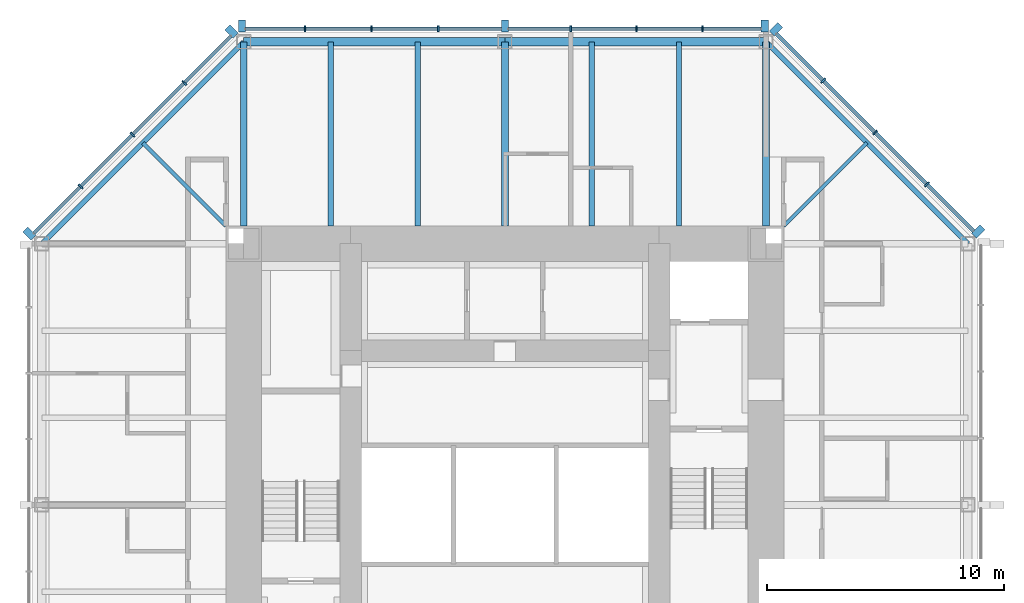
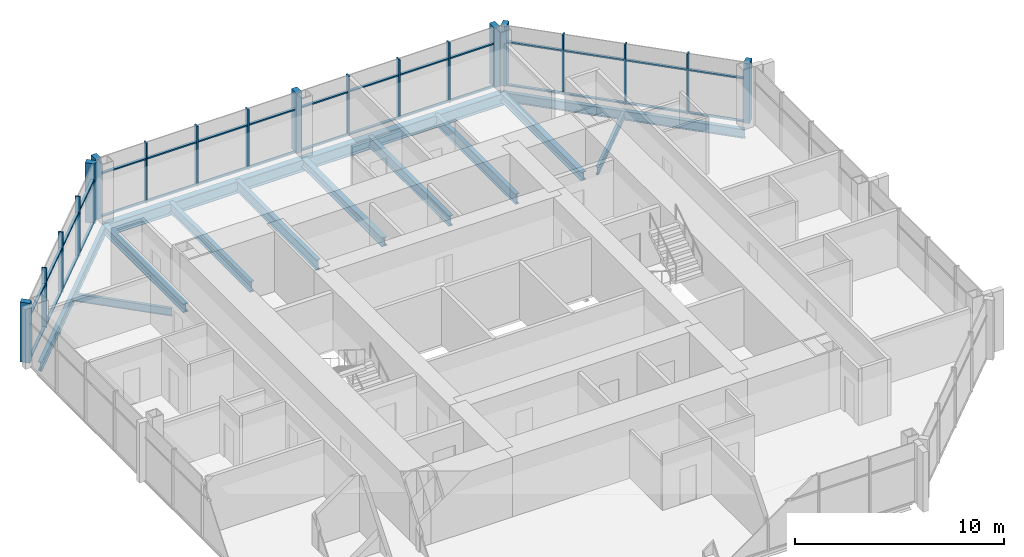
# One storey, part 5 of 11: 51 members, 13 beams, 3 elements without a shape of their own.
"""IFC4 building model written with IfcOpenShell, lengths in metres."""

from ifc_helpers import new_model, si_unit, direction, frame, origin, origin_2d, place, context, subcontext, project, spatial, rectangle, i_section, extrude, material, material_profile, profile_set, type_object, element, aggregate, save


model = new_model("IFC4")

# Units and contexts
model_context = context("Model", 3, precision=1e-05, world=origin(), true_north=direction((0.0, 1.0)))
body_context = subcontext(model_context, "Body", "Model", "MODEL_VIEW")
ifc_project = project(units=[si_unit("LENGTHUNIT", "METRE"), si_unit("AREAUNIT", "SQUARE_METRE"), si_unit("VOLUMEUNIT", "CUBIC_METRE"), si_unit("PLANEANGLEUNIT", "RADIAN"), si_unit("MASSUNIT", "GRAM", prefix="KILO")], contexts=[model_context])

# Site, building, storey
site_placement = place(None, origin())
site = spatial("IfcSite", under=ifc_project, at=site_placement, CompositionType="ELEMENT")
building_placement = place(site_placement, origin())
building = spatial("IfcBuilding", under=site, at=building_placement, Name="Trevanion Tower", CompositionType="ELEMENT")
storey_placement = place(building_placement, frame((0.0, 0.0, 250.199951171875)))
storey = spatial("IfcBuildingStorey", under=building, at=storey_placement, Name="L61", CompositionType="ELEMENT", Elevation=250.199951171875)

# Beams
ifc_material_1 = material(Name="Steel ASTM A992 Grade 50", Category="steel")
ifc_material_profile_1 = material_profile(ifc_material_1, i_section(OverallWidth=0.228271484375, OverallDepth=0.607177734375, WebThickness=0.01123046875, FlangeThickness=0.017333984375, at=origin_2d()), Name="W24X76")
ifc_profile_set_1 = profile_set([ifc_material_profile_1], Name="Steel ASTM A992 Grade 50")
beam_type_1 = type_object("IfcBeamType", Name="B11 W24X76", PredefinedType="BEAM", material=ifc_profile_set_1)
for number, where, z_axis, x_axis, name in (
    (1, (7.333251953125, 11.75, -0.493408203125), (0.0, 1.0, 0.0), (-1.0, 0.0, 0.0), "B11 L61"),
    (2, (3.666748046875, 11.75, -0.493408203125), (0.0, 1.0, 0.0), (-1.0, 0.0, 0.0), "B11 L61"),
    (3, (-3.666748046875, 11.75, -0.493408203125), (0.0, 1.0, 0.0), (-1.0, 0.0, 0.0), "B11 L61"),
    (4, (-7.333251953125, 11.75, -0.493408203125), (0.0, 1.0, 0.0), (-1.0, 0.0, 0.0), "B11 L61"),
):
    element("IfcBeam", number, at=place(storey_placement, frame(where, z_axis=z_axis, x_axis=x_axis)), inside=storey, type_object=beam_type_1, Name=name, PredefinedType="BEAM", context=body_context, shape_type="SweptSolid", body=[
        extrude(i_section(OverallWidth=0.228271484375, OverallDepth=0.607177734375, WebThickness=0.01123046875, FlangeThickness=0.017333984375, at=origin_2d()), origin(), (0.0, 0.0, 1.0), 7.75),
    ])
ifc_material_2 = material(Name="Steel ASTM A992 Grade 50", Category="steel")
ifc_material_profile_2 = material_profile(ifc_material_2, i_section(OverallWidth=0.15234375, OverallDepth=0.449462890625, WebThickness=0.007568359375, FlangeThickness=0.0107421875, at=origin_2d()), Name="W18X35")
ifc_profile_set_2 = profile_set([ifc_material_profile_2], Name="Steel ASTM A992 Grade 50")
beam_type_2 = type_object("IfcBeamType", Name="B12 W18X35", PredefinedType="BEAM", material=ifc_profile_set_2)
for number, where, z_axis, x_axis, name in (
    (5, (11.75, 11.75, -0.414794921875), (0.707106781187, 0.707106781187, 0.0), (-0.707106781187, 0.707106781187, 0.0), "B12 L61"),
    (6, (-11.75, 11.75, -0.414794921875), (-0.707106781187, 0.707106781187, 0.0), (-0.707106781187, -0.707106781187, 0.0), "B12 L61"),
):
    element("IfcBeam", number, at=place(storey_placement, frame(where, z_axis=z_axis, x_axis=x_axis)), inside=storey, type_object=beam_type_2, Name=name, PredefinedType="BEAM", context=body_context, shape_type="SweptSolid", body=[
        extrude(i_section(OverallWidth=0.15234375, OverallDepth=0.449462890625, WebThickness=0.007568359375, FlangeThickness=0.0107421875, at=origin_2d()), origin(), (0.0, 0.0, 1.0), 4.94970703125),
    ])

# Curtain wall, members
ifc_material_3 = material(Name="Aluminium and glass", Category="aluminium")
curtain_wall_type = type_object("IfcCurtainWallType", Name="CW3 curtain wall", PredefinedType="USERDEFINED", material=ifc_material_3)
curtain_wall_1_placement = place(storey_placement, origin())
curtain_wall_1 = element("IfcCurtainWall", 7, at=curtain_wall_1_placement, inside=storey, type_object=curtain_wall_type, Name="CW3 L61 1", ObjectType="UNITISED CURTAIN WALL", PredefinedType="USERDEFINED")
ifc_material_4 = material(Name="Aluminium extrusion, anodised bronze", Category="aluminium")
ifc_material_profile_3 = material_profile(ifc_material_4, rectangle(XDim=0.074951171875, YDim=0.25, at=origin_2d()), Name="CW3 mullion")
ifc_profile_set_3 = profile_set([ifc_material_profile_3], Name="Aluminium extrusion, anodised bronze")
member_type_1 = type_object("IfcMemberType", Name="CW3 mullion", PredefinedType="MULLION", material=ifc_profile_set_3)
member_1_placement = place(storey_placement, frame((17.775390625, 13.502197265625, -0.18994140625), z_axis=(0.0, 0.0, 1.0), x_axis=(-0.707106781187, 0.707106781187, 0.0)))
member_1 = element("IfcMember", 8, at=member_1_placement, type_object=member_type_1, Name="CW3 mullion 2", PredefinedType="MULLION", context=body_context, shape_type="SweptSolid", body=[
    extrude(rectangle(XDim=0.074951171875, YDim=0.25, at=origin_2d()), origin(), (0.0, 0.0, 1.0), 3.5),
])
member_2_placement = place(storey_placement, frame((15.593017578125, 15.684814453125, -0.18994140625), z_axis=(0.0, 0.0, 1.0), x_axis=(-0.707106781187, 0.707106781187, 0.0)))
member_2 = element("IfcMember", 9, at=member_2_placement, type_object=member_type_1, Name="CW3 mullion 3", PredefinedType="MULLION", context=body_context, shape_type="SweptSolid", body=[
    extrude(rectangle(XDim=0.074951171875, YDim=0.25, at=origin_2d()), origin(), (0.0, 0.0, 1.0), 3.5),
])
member_3_placement = place(storey_placement, frame((13.410400390625, 17.867431640625, -0.18994140625), z_axis=(0.0, 0.0, 1.0), x_axis=(-0.707106781187, 0.707106781187, 0.0)))
member_3 = element("IfcMember", 10, at=member_3_placement, type_object=member_type_1, Name="CW3 mullion 4", PredefinedType="MULLION", context=body_context, shape_type="SweptSolid", body=[
    extrude(rectangle(XDim=0.074951171875, YDim=0.25, at=origin_2d()), origin(), (0.0, 0.0, 1.0), 3.5),
])

curtain_wall_2_placement = place(storey_placement, origin())
curtain_wall_2 = element("IfcCurtainWall", 11, at=curtain_wall_2_placement, inside=storey, type_object=curtain_wall_type, Name="CW3 L61 2", ObjectType="UNITISED CURTAIN WALL", PredefinedType="USERDEFINED")
member_4_placement = place(storey_placement, frame((8.323486328125, 20.050048828125, -0.18994140625), z_axis=(0.0, 0.0, 1.0), x_axis=(-1.0, 0.0, 0.0)))
member_4 = element("IfcMember", 12, at=member_4_placement, type_object=member_type_1, Name="CW3 mullion 2", PredefinedType="MULLION", context=body_context, shape_type="SweptSolid", body=[
    extrude(rectangle(XDim=0.074951171875, YDim=0.25, at=origin_2d()), origin(), (0.0, 0.0, 1.0), 3.5),
])
member_5_placement = place(storey_placement, frame((5.548828125, 20.050048828125, -0.18994140625), z_axis=(0.0, 0.0, 1.0), x_axis=(-1.0, 0.0, 0.0)))
member_5 = element("IfcMember", 13, at=member_5_placement, type_object=member_type_1, Name="CW3 mullion 3", PredefinedType="MULLION", context=body_context, shape_type="SweptSolid", body=[
    extrude(rectangle(XDim=0.074951171875, YDim=0.25, at=origin_2d()), origin(), (0.0, 0.0, 1.0), 3.5),
])
member_6_placement = place(storey_placement, frame((2.7744140625, 20.050048828125, -0.18994140625), z_axis=(0.0, 0.0, 1.0), x_axis=(-1.0, 0.0, 0.0)))
member_6 = element("IfcMember", 14, at=member_6_placement, type_object=member_type_1, Name="CW3 mullion 4", PredefinedType="MULLION", context=body_context, shape_type="SweptSolid", body=[
    extrude(rectangle(XDim=0.074951171875, YDim=0.25, at=origin_2d()), origin(), (0.0, 0.0, 1.0), 3.5),
])
member_7_placement = place(storey_placement, frame((-2.806884765625, 20.050048828125, -0.18994140625), z_axis=(0.0, 0.0, 1.0), x_axis=(-1.0, 0.0, 0.0)))
member_7 = element("IfcMember", 15, at=member_7_placement, type_object=member_type_1, Name="CW3 mullion 6", PredefinedType="MULLION", context=body_context, shape_type="SweptSolid", body=[
    extrude(rectangle(XDim=0.074951171875, YDim=0.25, at=origin_2d()), origin(), (0.0, 0.0, 1.0), 3.5),
])
member_8_placement = place(storey_placement, frame((-5.614013671875, 20.050048828125, -0.18994140625), z_axis=(0.0, 0.0, 1.0), x_axis=(-1.0, 0.0, 0.0)))
member_8 = element("IfcMember", 16, at=member_8_placement, type_object=member_type_1, Name="CW3 mullion 7", PredefinedType="MULLION", context=body_context, shape_type="SweptSolid", body=[
    extrude(rectangle(XDim=0.074951171875, YDim=0.25, at=origin_2d()), origin(), (0.0, 0.0, 1.0), 3.5),
])
member_9_placement = place(storey_placement, frame((-8.4208984375, 20.050048828125, -0.18994140625), z_axis=(0.0, 0.0, 1.0), x_axis=(-1.0, 0.0, 0.0)))
member_9 = element("IfcMember", 17, at=member_9_placement, type_object=member_type_1, Name="CW3 mullion 8", PredefinedType="MULLION", context=body_context, shape_type="SweptSolid", body=[
    extrude(rectangle(XDim=0.074951171875, YDim=0.25, at=origin_2d()), origin(), (0.0, 0.0, 1.0), 3.5),
])

curtain_wall_3_placement = place(storey_placement, origin())
curtain_wall_3 = element("IfcCurtainWall", 18, at=curtain_wall_3_placement, inside=storey, type_object=curtain_wall_type, Name="CW3 L61 3", ObjectType="UNITISED CURTAIN WALL", PredefinedType="USERDEFINED")
member_10_placement = place(storey_placement, frame((-13.502197265625, 17.775390625, -0.18994140625), z_axis=(0.0, 0.0, 1.0), x_axis=(-0.707106781187, -0.707106781187, 0.0)))
member_10 = element("IfcMember", 19, at=member_10_placement, type_object=member_type_1, Name="CW3 mullion 2", PredefinedType="MULLION", context=body_context, shape_type="SweptSolid", body=[
    extrude(rectangle(XDim=0.074951171875, YDim=0.25, at=origin_2d()), origin(), (0.0, 0.0, 1.0), 3.5),
])
member_11_placement = place(storey_placement, frame((-15.684814453125, 15.593017578125, -0.18994140625), z_axis=(0.0, 0.0, 1.0), x_axis=(-0.707106781187, -0.707106781187, 0.0)))
member_11 = element("IfcMember", 20, at=member_11_placement, type_object=member_type_1, Name="CW3 mullion 3", PredefinedType="MULLION", context=body_context, shape_type="SweptSolid", body=[
    extrude(rectangle(XDim=0.074951171875, YDim=0.25, at=origin_2d()), origin(), (0.0, 0.0, 1.0), 3.5),
])
member_12_placement = place(storey_placement, frame((-17.867431640625, 13.410400390625, -0.18994140625), z_axis=(0.0, 0.0, 1.0), x_axis=(-0.707106781187, -0.707106781187, 0.0)))
member_12 = element("IfcMember", 21, at=member_12_placement, type_object=member_type_1, Name="CW3 mullion 4", PredefinedType="MULLION", context=body_context, shape_type="SweptSolid", body=[
    extrude(rectangle(XDim=0.074951171875, YDim=0.25, at=origin_2d()), origin(), (0.0, 0.0, 1.0), 3.5),
])

# Member
ifc_material_5 = material(Name="Aluminium extrusion, anodised bronze", Category="aluminium")
ifc_material_profile_4 = material_profile(ifc_material_5, rectangle(XDim=0.300048828125, YDim=0.5, at=origin_2d()), Name="CW3 pier mullion")
ifc_profile_set_4 = profile_set([ifc_material_profile_4], Name="Aluminium extrusion, anodised bronze")
member_type_2 = type_object("IfcMemberType", Name="CW3 pier mullion", PredefinedType="MULLION", material=ifc_profile_set_4)
member_13_placement = place(storey_placement, frame((19.9404296875, 11.51416015625, -0.18994140625), z_axis=(0.0, 0.0, 1.0), x_axis=(-0.707106781187, 0.707106781187, 0.0)))
member_13 = element("IfcMember", 22, at=member_13_placement, type_object=member_type_2, Name="CW3 pier mullion 1", PredefinedType="MULLION", context=body_context, shape_type="SweptSolid", body=[
    extrude(rectangle(XDim=0.300048828125, YDim=0.5, at=origin_2d()), origin(), (0.0, 0.0, 1.0), 3.5),
])

member_14_placement = place(storey_placement, frame((11.42236328125, 20.0322265625, -0.18994140625), z_axis=(0.0, 0.0, 1.0), x_axis=(-0.707106781187, 0.707106781187, 0.0)))
member_14 = element("IfcMember", 23, at=member_14_placement, type_object=member_type_2, Name="CW3 pier mullion 5", PredefinedType="MULLION", context=body_context, shape_type="SweptSolid", body=[
    extrude(rectangle(XDim=0.300048828125, YDim=0.5, at=origin_2d()), origin(), (0.0, 0.0, 1.0), 3.5),
])

member_15_placement = place(storey_placement, frame((10.94775390625, 20.175048828125, -0.18994140625), z_axis=(0.0, 0.0, 1.0), x_axis=(-1.0, 0.0, 0.0)))
member_15 = element("IfcMember", 24, at=member_15_placement, type_object=member_type_2, Name="CW3 pier mullion 1", PredefinedType="MULLION", context=body_context, shape_type="SweptSolid", body=[
    extrude(rectangle(XDim=0.300048828125, YDim=0.5, at=origin_2d()), origin(), (0.0, 0.0, 1.0), 3.5),
])

member_16_placement = place(storey_placement, frame((0.0, 20.175048828125, -0.18994140625), z_axis=(0.0, 0.0, 1.0), x_axis=(-1.0, 0.0, 0.0)))
member_16 = element("IfcMember", 25, at=member_16_placement, type_object=member_type_2, Name="CW3 pier mullion 5", PredefinedType="MULLION", context=body_context, shape_type="SweptSolid", body=[
    extrude(rectangle(XDim=0.300048828125, YDim=0.5, at=origin_2d()), origin(), (0.0, 0.0, 1.0), 3.5),
])

member_17_placement = place(storey_placement, frame((-11.077880859375, 20.175048828125, -0.18994140625), z_axis=(0.0, 0.0, 1.0), x_axis=(-1.0, 0.0, 0.0)))
member_17 = element("IfcMember", 26, at=member_17_placement, type_object=member_type_2, Name="CW3 pier mullion 9", PredefinedType="MULLION", context=body_context, shape_type="SweptSolid", body=[
    extrude(rectangle(XDim=0.300048828125, YDim=0.5, at=origin_2d()), origin(), (0.0, 0.0, 1.0), 3.5),
])

member_18_placement = place(storey_placement, frame((-11.51416015625, 19.9404296875, -0.18994140625), z_axis=(0.0, 0.0, 1.0), x_axis=(-0.707106781187, -0.707106781187, 0.0)))
member_18 = element("IfcMember", 27, at=member_18_placement, type_object=member_type_2, Name="CW3 pier mullion 1", PredefinedType="MULLION", context=body_context, shape_type="SweptSolid", body=[
    extrude(rectangle(XDim=0.300048828125, YDim=0.5, at=origin_2d()), origin(), (0.0, 0.0, 1.0), 3.5),
])

member_19_placement = place(storey_placement, frame((-20.0322265625, 11.42236328125, -0.18994140625), z_axis=(0.0, 0.0, 1.0), x_axis=(-0.707106781187, -0.707106781187, 0.0)))
member_19 = element("IfcMember", 28, at=member_19_placement, type_object=member_type_2, Name="CW3 pier mullion 5", PredefinedType="MULLION", context=body_context, shape_type="SweptSolid", body=[
    extrude(rectangle(XDim=0.300048828125, YDim=0.5, at=origin_2d()), origin(), (0.0, 0.0, 1.0), 3.5),
])

ifc_material_6 = material(Name="Aluminium extrusion, anodised bronze", Category="aluminium")
ifc_material_profile_5 = material_profile(ifc_material_6, rectangle(XDim=0.14990234375, YDim=0.074951171875, at=origin_2d()), Name="CW3 transom")
ifc_profile_set_5 = profile_set([ifc_material_profile_5], Name="Aluminium extrusion, anodised bronze")
member_type_3 = type_object("IfcMemberType", Name="CW3 transom", PredefinedType="USERDEFINED", material=ifc_profile_set_5)
member_20_placement = place(storey_placement, frame((19.745849609375, 11.531982421875, -0.15234375), z_axis=(-0.707106781187, 0.707106781187, 0.0), x_axis=(-0.707106781187, -0.707106781187, 0.0)))
member_20 = element("IfcMember", 29, at=member_20_placement, type_object=member_type_3, Name="CW3 transom 1.1", ObjectType="TRANSOM", PredefinedType="USERDEFINED", context=body_context, shape_type="SweptSolid", body=[
    extrude(rectangle(XDim=0.14990234375, YDim=0.074951171875, at=origin_2d()), origin(), (0.0, 0.0, 1.0), 2.7490234375),
])

member_21_placement = place(storey_placement, frame((19.745849609375, 11.531982421875, 2.360107421875), z_axis=(-0.707106781187, 0.707106781187, 0.0), x_axis=(-0.707106781187, -0.707106781187, 0.0)))
member_21 = element("IfcMember", 30, at=member_21_placement, type_object=member_type_3, Name="CW3 transom 1.2", ObjectType="TRANSOM", PredefinedType="USERDEFINED", context=body_context, shape_type="SweptSolid", body=[
    extrude(rectangle(XDim=0.14990234375, YDim=0.074951171875, at=origin_2d()), origin(), (0.0, 0.0, 1.0), 2.7490234375),
])

member_22_placement = place(storey_placement, frame((17.7490234375, 13.52880859375, -0.15234375), z_axis=(-0.707106781187, 0.707106781187, 0.0), x_axis=(-0.707106781187, -0.707106781187, 0.0)))
member_22 = element("IfcMember", 31, at=member_22_placement, type_object=member_type_3, Name="CW3 transom 2.1", ObjectType="TRANSOM", PredefinedType="USERDEFINED", context=body_context, shape_type="SweptSolid", body=[
    extrude(rectangle(XDim=0.14990234375, YDim=0.074951171875, at=origin_2d()), origin(), (0.0, 0.0, 1.0), 3.01171875),
])

member_23_placement = place(storey_placement, frame((17.7490234375, 13.52880859375, 2.360107421875), z_axis=(-0.707106781187, 0.707106781187, 0.0), x_axis=(-0.707106781187, -0.707106781187, 0.0)))
member_23 = element("IfcMember", 32, at=member_23_placement, type_object=member_type_3, Name="CW3 transom 2.2", ObjectType="TRANSOM", PredefinedType="USERDEFINED", context=body_context, shape_type="SweptSolid", body=[
    extrude(rectangle(XDim=0.14990234375, YDim=0.074951171875, at=origin_2d()), origin(), (0.0, 0.0, 1.0), 3.01171875),
])

member_24_placement = place(storey_placement, frame((15.56640625, 15.71142578125, -0.15234375), z_axis=(-0.707106781187, 0.707106781187, 0.0), x_axis=(-0.707106781187, -0.707106781187, 0.0)))
member_24 = element("IfcMember", 33, at=member_24_placement, type_object=member_type_3, Name="CW3 transom 3.1", ObjectType="TRANSOM", PredefinedType="USERDEFINED", context=body_context, shape_type="SweptSolid", body=[
    extrude(rectangle(XDim=0.14990234375, YDim=0.074951171875, at=origin_2d()), origin(), (0.0, 0.0, 1.0), 3.011474609375),
])

member_25_placement = place(storey_placement, frame((15.56640625, 15.71142578125, 2.360107421875), z_axis=(-0.707106781187, 0.707106781187, 0.0), x_axis=(-0.707106781187, -0.707106781187, 0.0)))
member_25 = element("IfcMember", 34, at=member_25_placement, type_object=member_type_3, Name="CW3 transom 3.2", ObjectType="TRANSOM", PredefinedType="USERDEFINED", context=body_context, shape_type="SweptSolid", body=[
    extrude(rectangle(XDim=0.14990234375, YDim=0.074951171875, at=origin_2d()), origin(), (0.0, 0.0, 1.0), 3.011474609375),
])

member_26_placement = place(storey_placement, frame((13.3837890625, 17.89404296875, -0.15234375), z_axis=(-0.707106781187, 0.707106781187, 0.0), x_axis=(-0.707106781187, -0.707106781187, 0.0)))
member_26 = element("IfcMember", 35, at=member_26_placement, type_object=member_type_3, Name="CW3 transom 4.1", ObjectType="TRANSOM", PredefinedType="USERDEFINED", context=body_context, shape_type="SweptSolid", body=[
    extrude(rectangle(XDim=0.14990234375, YDim=0.074951171875, at=origin_2d()), origin(), (0.0, 0.0, 1.0), 2.7490234375),
])

member_27_placement = place(storey_placement, frame((13.3837890625, 17.89404296875, 2.360107421875), z_axis=(-0.707106781187, 0.707106781187, 0.0), x_axis=(-0.707106781187, -0.707106781187, 0.0)))
member_27 = element("IfcMember", 36, at=member_27_placement, type_object=member_type_3, Name="CW3 transom 4.2", ObjectType="TRANSOM", PredefinedType="USERDEFINED", context=body_context, shape_type="SweptSolid", body=[
    extrude(rectangle(XDim=0.14990234375, YDim=0.074951171875, at=origin_2d()), origin(), (0.0, 0.0, 1.0), 2.7490234375),
])

aggregate(curtain_wall_1, [member_13, member_1, member_2, member_3, member_14, member_20, member_21, member_22, member_23, member_24, member_25, member_26, member_27])

member_28_placement = place(storey_placement, frame((10.7978515625, 20.050048828125, -0.15234375), z_axis=(-1.0, 0.0, 0.0), x_axis=(0.0, -1.0, 0.0)))
member_28 = element("IfcMember", 37, at=member_28_placement, type_object=member_type_3, Name="CW3 transom 1.1", ObjectType="TRANSOM", PredefinedType="USERDEFINED", context=body_context, shape_type="SweptSolid", body=[
    extrude(rectangle(XDim=0.14990234375, YDim=0.074951171875, at=origin_2d()), origin(), (0.0, 0.0, 1.0), 2.43701171875),
])

member_29_placement = place(storey_placement, frame((10.7978515625, 20.050048828125, 2.360107421875), z_axis=(-1.0, 0.0, 0.0), x_axis=(0.0, -1.0, 0.0)))
member_29 = element("IfcMember", 38, at=member_29_placement, type_object=member_type_3, Name="CW3 transom 1.2", ObjectType="TRANSOM", PredefinedType="USERDEFINED", context=body_context, shape_type="SweptSolid", body=[
    extrude(rectangle(XDim=0.14990234375, YDim=0.074951171875, at=origin_2d()), origin(), (0.0, 0.0, 1.0), 2.43701171875),
])

member_30_placement = place(storey_placement, frame((8.285888671875, 20.050048828125, -0.15234375), z_axis=(-1.0, 0.0, 0.0), x_axis=(0.0, -1.0, 0.0)))
member_30 = element("IfcMember", 39, at=member_30_placement, type_object=member_type_3, Name="CW3 transom 2.1", ObjectType="TRANSOM", PredefinedType="USERDEFINED", context=body_context, shape_type="SweptSolid", body=[
    extrude(rectangle(XDim=0.14990234375, YDim=0.074951171875, at=origin_2d()), origin(), (0.0, 0.0, 1.0), 2.699462890625),
])

member_31_placement = place(storey_placement, frame((8.285888671875, 20.050048828125, 2.360107421875), z_axis=(-1.0, 0.0, 0.0), x_axis=(0.0, -1.0, 0.0)))
member_31 = element("IfcMember", 40, at=member_31_placement, type_object=member_type_3, Name="CW3 transom 2.2", ObjectType="TRANSOM", PredefinedType="USERDEFINED", context=body_context, shape_type="SweptSolid", body=[
    extrude(rectangle(XDim=0.14990234375, YDim=0.074951171875, at=origin_2d()), origin(), (0.0, 0.0, 1.0), 2.699462890625),
])

member_32_placement = place(storey_placement, frame((5.511474609375, 20.050048828125, -0.15234375), z_axis=(-1.0, 0.0, 0.0), x_axis=(0.0, -1.0, 0.0)))
member_32 = element("IfcMember", 41, at=member_32_placement, type_object=member_type_3, Name="CW3 transom 3.1", ObjectType="TRANSOM", PredefinedType="USERDEFINED", context=body_context, shape_type="SweptSolid", body=[
    extrude(rectangle(XDim=0.14990234375, YDim=0.074951171875, at=origin_2d()), origin(), (0.0, 0.0, 1.0), 2.699462890625),
])

member_33_placement = place(storey_placement, frame((5.511474609375, 20.050048828125, 2.360107421875), z_axis=(-1.0, 0.0, 0.0), x_axis=(0.0, -1.0, 0.0)))
member_33 = element("IfcMember", 42, at=member_33_placement, type_object=member_type_3, Name="CW3 transom 3.2", ObjectType="TRANSOM", PredefinedType="USERDEFINED", context=body_context, shape_type="SweptSolid", body=[
    extrude(rectangle(XDim=0.14990234375, YDim=0.074951171875, at=origin_2d()), origin(), (0.0, 0.0, 1.0), 2.699462890625),
])

member_34_placement = place(storey_placement, frame((2.737060546875, 20.050048828125, -0.15234375), z_axis=(-1.0, 0.0, 0.0), x_axis=(0.0, -1.0, 0.0)))
member_34 = element("IfcMember", 43, at=member_34_placement, type_object=member_type_3, Name="CW3 transom 4.1", ObjectType="TRANSOM", PredefinedType="USERDEFINED", context=body_context, shape_type="SweptSolid", body=[
    extrude(rectangle(XDim=0.14990234375, YDim=0.074951171875, at=origin_2d()), origin(), (0.0, 0.0, 1.0), 2.587158203125),
])

member_35_placement = place(storey_placement, frame((2.737060546875, 20.050048828125, 2.360107421875), z_axis=(-1.0, 0.0, 0.0), x_axis=(0.0, -1.0, 0.0)))
member_35 = element("IfcMember", 44, at=member_35_placement, type_object=member_type_3, Name="CW3 transom 4.2", ObjectType="TRANSOM", PredefinedType="USERDEFINED", context=body_context, shape_type="SweptSolid", body=[
    extrude(rectangle(XDim=0.14990234375, YDim=0.074951171875, at=origin_2d()), origin(), (0.0, 0.0, 1.0), 2.587158203125),
])

member_36_placement = place(storey_placement, frame((-0.14990234375, 20.050048828125, -0.15234375), z_axis=(-1.0, 0.0, 0.0), x_axis=(0.0, -1.0, 0.0)))
member_36 = element("IfcMember", 45, at=member_36_placement, type_object=member_type_3, Name="CW3 transom 5.1", ObjectType="TRANSOM", PredefinedType="USERDEFINED", context=body_context, shape_type="SweptSolid", body=[
    extrude(rectangle(XDim=0.14990234375, YDim=0.074951171875, at=origin_2d()), origin(), (0.0, 0.0, 1.0), 2.619384765625),
])

member_37_placement = place(storey_placement, frame((-0.14990234375, 20.050048828125, 2.360107421875), z_axis=(-1.0, 0.0, 0.0), x_axis=(0.0, -1.0, 0.0)))
member_37 = element("IfcMember", 46, at=member_37_placement, type_object=member_type_3, Name="CW3 transom 5.2", ObjectType="TRANSOM", PredefinedType="USERDEFINED", context=body_context, shape_type="SweptSolid", body=[
    extrude(rectangle(XDim=0.14990234375, YDim=0.074951171875, at=origin_2d()), origin(), (0.0, 0.0, 1.0), 2.619384765625),
])

member_38_placement = place(storey_placement, frame((-2.844482421875, 20.050048828125, -0.15234375), z_axis=(-1.0, 0.0, 0.0), x_axis=(0.0, -1.0, 0.0)))
member_38 = element("IfcMember", 47, at=member_38_placement, type_object=member_type_3, Name="CW3 transom 6.1", ObjectType="TRANSOM", PredefinedType="USERDEFINED", context=body_context, shape_type="SweptSolid", body=[
    extrude(rectangle(XDim=0.14990234375, YDim=0.074951171875, at=origin_2d()), origin(), (0.0, 0.0, 1.0), 2.73193359375),
])

member_39_placement = place(storey_placement, frame((-2.844482421875, 20.050048828125, 2.360107421875), z_axis=(-1.0, 0.0, 0.0), x_axis=(0.0, -1.0, 0.0)))
member_39 = element("IfcMember", 48, at=member_39_placement, type_object=member_type_3, Name="CW3 transom 6.2", ObjectType="TRANSOM", PredefinedType="USERDEFINED", context=body_context, shape_type="SweptSolid", body=[
    extrude(rectangle(XDim=0.14990234375, YDim=0.074951171875, at=origin_2d()), origin(), (0.0, 0.0, 1.0), 2.73193359375),
])

member_40_placement = place(storey_placement, frame((-5.6513671875, 20.050048828125, -0.15234375), z_axis=(-1.0, 0.0, 0.0), x_axis=(0.0, -1.0, 0.0)))
member_40 = element("IfcMember", 49, at=member_40_placement, type_object=member_type_3, Name="CW3 transom 7.1", ObjectType="TRANSOM", PredefinedType="USERDEFINED", context=body_context, shape_type="SweptSolid", body=[
    extrude(rectangle(XDim=0.14990234375, YDim=0.074951171875, at=origin_2d()), origin(), (0.0, 0.0, 1.0), 2.73193359375),
])

member_41_placement = place(storey_placement, frame((-5.6513671875, 20.050048828125, 2.360107421875), z_axis=(-1.0, 0.0, 0.0), x_axis=(0.0, -1.0, 0.0)))
member_41 = element("IfcMember", 50, at=member_41_placement, type_object=member_type_3, Name="CW3 transom 7.2", ObjectType="TRANSOM", PredefinedType="USERDEFINED", context=body_context, shape_type="SweptSolid", body=[
    extrude(rectangle(XDim=0.14990234375, YDim=0.074951171875, at=origin_2d()), origin(), (0.0, 0.0, 1.0), 2.73193359375),
])

member_42_placement = place(storey_placement, frame((-8.45849609375, 20.050048828125, -0.15234375), z_axis=(-1.0, 0.0, 0.0), x_axis=(0.0, -1.0, 0.0)))
member_42 = element("IfcMember", 51, at=member_42_placement, type_object=member_type_3, Name="CW3 transom 8.1", ObjectType="TRANSOM", PredefinedType="USERDEFINED", context=body_context, shape_type="SweptSolid", body=[
    extrude(rectangle(XDim=0.14990234375, YDim=0.074951171875, at=origin_2d()), origin(), (0.0, 0.0, 1.0), 2.46923828125),
])

member_43_placement = place(storey_placement, frame((-8.45849609375, 20.050048828125, 2.360107421875), z_axis=(-1.0, 0.0, 0.0), x_axis=(0.0, -1.0, 0.0)))
member_43 = element("IfcMember", 52, at=member_43_placement, type_object=member_type_3, Name="CW3 transom 8.2", ObjectType="TRANSOM", PredefinedType="USERDEFINED", context=body_context, shape_type="SweptSolid", body=[
    extrude(rectangle(XDim=0.14990234375, YDim=0.074951171875, at=origin_2d()), origin(), (0.0, 0.0, 1.0), 2.46923828125),
])

aggregate(curtain_wall_2, [member_15, member_4, member_5, member_6, member_16, member_7, member_8, member_9, member_17, member_28, member_29, member_30, member_31, member_32, member_33, member_34, member_35, member_36, member_37, member_38, member_39, member_40, member_41, member_42, member_43])

member_44_placement = place(storey_placement, frame((-11.531982421875, 19.745849609375, -0.15234375), z_axis=(-0.707106781187, -0.707106781187, 0.0), x_axis=(0.707106781187, -0.707106781187, 0.0)))
member_44 = element("IfcMember", 53, at=member_44_placement, type_object=member_type_3, Name="CW3 transom 1.1", ObjectType="TRANSOM", PredefinedType="USERDEFINED", context=body_context, shape_type="SweptSolid", body=[
    extrude(rectangle(XDim=0.14990234375, YDim=0.074951171875, at=origin_2d()), origin(), (0.0, 0.0, 1.0), 2.7490234375),
])

member_45_placement = place(storey_placement, frame((-11.531982421875, 19.745849609375, 2.360107421875), z_axis=(-0.707106781187, -0.707106781187, 0.0), x_axis=(0.707106781187, -0.707106781187, 0.0)))
member_45 = element("IfcMember", 54, at=member_45_placement, type_object=member_type_3, Name="CW3 transom 1.2", ObjectType="TRANSOM", PredefinedType="USERDEFINED", context=body_context, shape_type="SweptSolid", body=[
    extrude(rectangle(XDim=0.14990234375, YDim=0.074951171875, at=origin_2d()), origin(), (0.0, 0.0, 1.0), 2.7490234375),
])

member_46_placement = place(storey_placement, frame((-13.52880859375, 17.7490234375, -0.15234375), z_axis=(-0.707106781187, -0.707106781187, 0.0), x_axis=(0.707106781187, -0.707106781187, 0.0)))
member_46 = element("IfcMember", 55, at=member_46_placement, type_object=member_type_3, Name="CW3 transom 2.1", ObjectType="TRANSOM", PredefinedType="USERDEFINED", context=body_context, shape_type="SweptSolid", body=[
    extrude(rectangle(XDim=0.14990234375, YDim=0.074951171875, at=origin_2d()), origin(), (0.0, 0.0, 1.0), 3.01171875),
])

member_47_placement = place(storey_placement, frame((-13.52880859375, 17.7490234375, 2.360107421875), z_axis=(-0.707106781187, -0.707106781187, 0.0), x_axis=(0.707106781187, -0.707106781187, 0.0)))
member_47 = element("IfcMember", 56, at=member_47_placement, type_object=member_type_3, Name="CW3 transom 2.2", ObjectType="TRANSOM", PredefinedType="USERDEFINED", context=body_context, shape_type="SweptSolid", body=[
    extrude(rectangle(XDim=0.14990234375, YDim=0.074951171875, at=origin_2d()), origin(), (0.0, 0.0, 1.0), 3.01171875),
])

member_48_placement = place(storey_placement, frame((-15.71142578125, 15.56640625, -0.15234375), z_axis=(-0.707106781187, -0.707106781187, 0.0), x_axis=(0.707106781187, -0.707106781187, 0.0)))
member_48 = element("IfcMember", 57, at=member_48_placement, type_object=member_type_3, Name="CW3 transom 3.1", ObjectType="TRANSOM", PredefinedType="USERDEFINED", context=body_context, shape_type="SweptSolid", body=[
    extrude(rectangle(XDim=0.14990234375, YDim=0.074951171875, at=origin_2d()), origin(), (0.0, 0.0, 1.0), 3.011474609375),
])

member_49_placement = place(storey_placement, frame((-15.71142578125, 15.56640625, 2.360107421875), z_axis=(-0.707106781187, -0.707106781187, 0.0), x_axis=(0.707106781187, -0.707106781187, 0.0)))
member_49 = element("IfcMember", 58, at=member_49_placement, type_object=member_type_3, Name="CW3 transom 3.2", ObjectType="TRANSOM", PredefinedType="USERDEFINED", context=body_context, shape_type="SweptSolid", body=[
    extrude(rectangle(XDim=0.14990234375, YDim=0.074951171875, at=origin_2d()), origin(), (0.0, 0.0, 1.0), 3.011474609375),
])

member_50_placement = place(storey_placement, frame((-17.89404296875, 13.3837890625, -0.15234375), z_axis=(-0.707106781187, -0.707106781187, 0.0), x_axis=(0.707106781187, -0.707106781187, 0.0)))
member_50 = element("IfcMember", 59, at=member_50_placement, type_object=member_type_3, Name="CW3 transom 4.1", ObjectType="TRANSOM", PredefinedType="USERDEFINED", context=body_context, shape_type="SweptSolid", body=[
    extrude(rectangle(XDim=0.14990234375, YDim=0.074951171875, at=origin_2d()), origin(), (0.0, 0.0, 1.0), 2.7490234375),
])

member_51_placement = place(storey_placement, frame((-17.89404296875, 13.3837890625, 2.360107421875), z_axis=(-0.707106781187, -0.707106781187, 0.0), x_axis=(0.707106781187, -0.707106781187, 0.0)))
member_51 = element("IfcMember", 60, at=member_51_placement, type_object=member_type_3, Name="CW3 transom 4.2", ObjectType="TRANSOM", PredefinedType="USERDEFINED", context=body_context, shape_type="SweptSolid", body=[
    extrude(rectangle(XDim=0.14990234375, YDim=0.074951171875, at=origin_2d()), origin(), (0.0, 0.0, 1.0), 2.7490234375),
])

aggregate(curtain_wall_3, [member_18, member_10, member_11, member_12, member_19, member_44, member_45, member_46, member_47, member_48, member_49, member_50, member_51])

# Beams
ifc_material_7 = material(Name="Steel ASTM A992 Grade 50", Category="steel")
ifc_material_profile_6 = material_profile(ifc_material_7, i_section(OverallWidth=0.28955078125, OverallDepth=0.508056640625, WebThickness=0.022705078125, FlangeThickness=0.040283203125, at=origin_2d()), Name="W18X175")
ifc_profile_set_6 = profile_set([ifc_material_profile_6], Name="Steel ASTM A992 Grade 50")
beam_type_3 = type_object("IfcBeamType", Name="G6 W18X175", PredefinedType="BEAM", material=ifc_profile_set_6)
for number, where, z_axis, x_axis, name in (
    (61, (11.0, 11.75, -0.44384765625), (0.0, 1.0, 0.0), (-1.0, 0.0, 0.0), "G6 L61"),
    (62, (0.0, 11.75, -0.44384765625), (0.0, 1.0, 0.0), (-1.0, 0.0, 0.0), "G6 L61"),
    (63, (-11.0, 11.75, -0.44384765625), (0.0, 1.0, 0.0), (-1.0, 0.0, 0.0), "G6 L61"),
):
    element("IfcBeam", number, at=place(storey_placement, frame(where, z_axis=z_axis, x_axis=x_axis)), inside=storey, type_object=beam_type_3, Name=name, PredefinedType="BEAM", context=body_context, shape_type="SweptSolid", body=[
        extrude(i_section(OverallWidth=0.28955078125, OverallDepth=0.508056640625, WebThickness=0.022705078125, FlangeThickness=0.040283203125, at=origin_2d()), origin(), (0.0, 0.0, 1.0), 7.75),
    ])
ifc_material_8 = material(Name="Steel ASTM A992 Grade 50", Category="steel")
ifc_material_profile_7 = material_profile(ifc_material_8, i_section(OverallWidth=0.355712890625, OverallDepth=0.696044921875, WebThickness=0.015380859375, FlangeThickness=0.024658203125, at=origin_2d()), Name="W27X146")
ifc_profile_set_7 = profile_set([ifc_material_profile_7], Name="Steel ASTM A992 Grade 50")
beam_type_4 = type_object("IfcBeamType", Name="SB8 W27X146", PredefinedType="SPANDREL", material=ifc_profile_set_7)
for number, where, z_axis, x_axis, name in (
    (64, (11.0, 19.5, -0.537841796875), (-1.0, 0.0, 0.0), (0.0, -1.0, 0.0), "SB8 L61"),
    (65, (0.0, 19.5, -0.537841796875), (-1.0, 0.0, 0.0), (0.0, -1.0, 0.0), "SB8 L61"),
):
    element("IfcBeam", number, at=place(storey_placement, frame(where, z_axis=z_axis, x_axis=x_axis)), inside=storey, type_object=beam_type_4, Name=name, PredefinedType="SPANDREL", context=body_context, shape_type="SweptSolid", body=[
        extrude(i_section(OverallWidth=0.355712890625, OverallDepth=0.696044921875, WebThickness=0.015380859375, FlangeThickness=0.024658203125, at=origin_2d()), origin(), (0.0, 0.0, 1.0), 11.0),
    ])
ifc_material_9 = material(Name="Steel ASTM A992 Grade 50", Category="steel")
ifc_material_profile_8 = material_profile(ifc_material_9, i_section(OverallWidth=0.209228515625, OverallDepth=0.533447265625, WebThickness=0.01025390625, FlangeThickness=0.015625, at=origin_2d()), Name="W21X62")
ifc_profile_set_8 = profile_set([ifc_material_profile_8], Name="Steel ASTM A992 Grade 50")
beam_type_5 = type_object("IfcBeamType", Name="SB9 W21X62", PredefinedType="SPANDREL", material=ifc_profile_set_8)
for number, where, z_axis, x_axis, name in (
    (66, (19.5, 11.0, -0.45654296875), (-0.707106781187, 0.707106781187, 0.0), (-0.707106781187, -0.707106781187, 0.0), "SB9 L61"),
    (67, (-11.0, 19.5, -0.45654296875), (-0.707106781187, -0.707106781187, 0.0), (0.707106781187, -0.707106781187, 0.0), "SB9 L61"),
):
    element("IfcBeam", number, at=place(storey_placement, frame(where, z_axis=z_axis, x_axis=x_axis)), inside=storey, type_object=beam_type_5, Name=name, PredefinedType="SPANDREL", context=body_context, shape_type="SweptSolid", body=[
        extrude(i_section(OverallWidth=0.209228515625, OverallDepth=0.533447265625, WebThickness=0.01025390625, FlangeThickness=0.015625, at=origin_2d()), origin(), (0.0, 0.0, 1.0), 12.020751953125),
    ])

save(model, "model.ifc")
